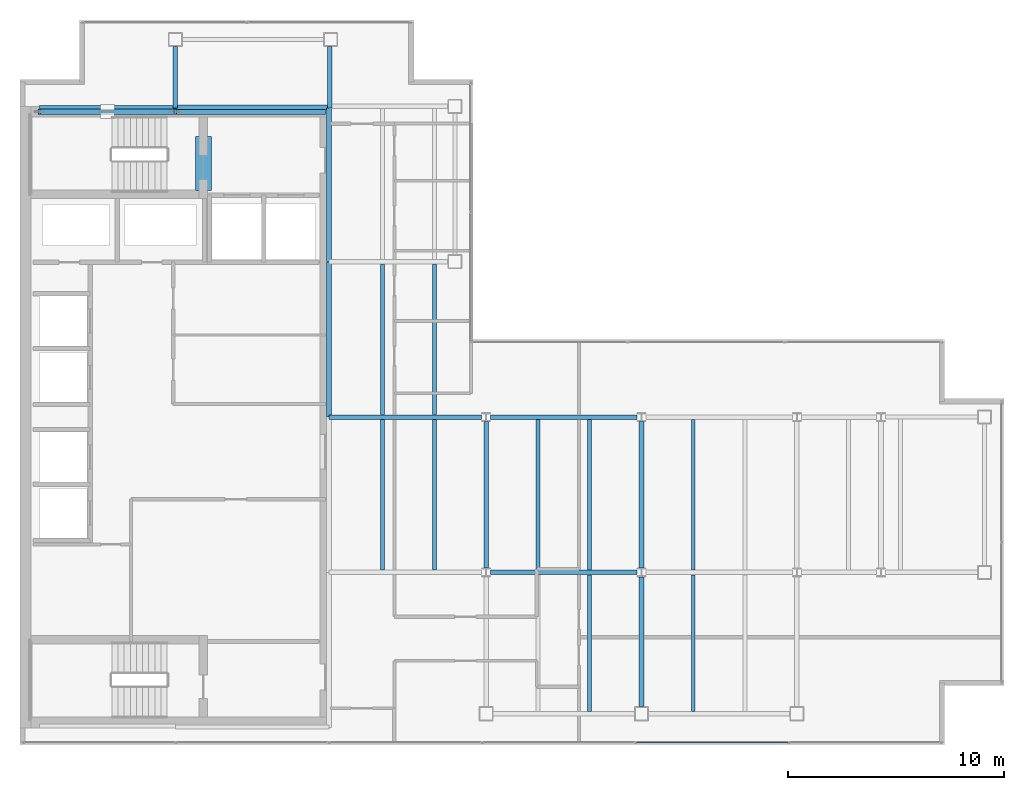
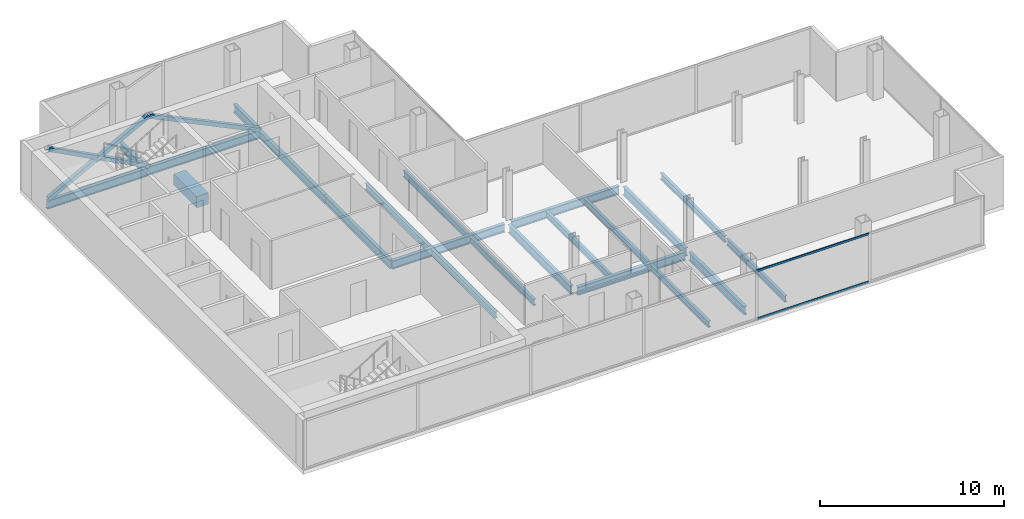
# One storey, part 7 of 24: 22 beams, 6 members, 1 element without a shape of its own.
"""IFC4 building model written with IfcOpenShell, lengths in metres."""

from ifc_helpers import new_model, si_unit, direction, frame, origin, origin_2d, place, context, subcontext, project, spatial, rectangle, hollow_rectangle, i_section, extrude, material, material_profile, profile_set, type_object, element, aggregate, save


model = new_model("IFC4")

# Units and contexts
model_context = context("Model", 3, precision=1e-05, world=origin(), true_north=direction((0.0, 1.0)))
body_context = subcontext(model_context, "Body", "Model", "MODEL_VIEW")
ifc_project = project(units=[si_unit("LENGTHUNIT", "METRE"), si_unit("AREAUNIT", "SQUARE_METRE"), si_unit("VOLUMEUNIT", "CUBIC_METRE"), si_unit("PLANEANGLEUNIT", "RADIAN"), si_unit("MASSUNIT", "GRAM", prefix="KILO")], contexts=[model_context])

# Site, building, storey
site_placement = place(None, origin())
site = spatial("IfcSite", under=ifc_project, at=site_placement, CompositionType="ELEMENT")
building_placement = place(site_placement, origin())
building = spatial("IfcBuilding", under=site, at=building_placement, Name="Cobrela Telecom Tower", CompositionType="ELEMENT")
storey_placement = place(building_placement, frame((0.0, 0.0, 248.14990234375)))
storey = spatial("IfcBuildingStorey", under=building, at=storey_placement, Name="L64", CompositionType="ELEMENT", Elevation=248.14990234375)

# Beams
ifc_material_1 = material(Name="Concrete C40/50", Category="concrete")
ifc_material_profile_1 = material_profile(ifc_material_1, rectangle(XDim=0.75, YDim=0.75, at=origin_2d()), Name="RC 750x750")
ifc_profile_set_1 = profile_set([ifc_material_profile_1], Name="Concrete C40/50")
beam_type_1 = type_object("IfcBeamType", Name="BM-COUP-RC", PredefinedType="LINTEL", material=ifc_profile_set_1)
beam_1_placement = place(storey_placement, frame((8.5, 32.10009765625, -0.60986328125), z_axis=(0.0, 1.0, 0.0), x_axis=(-1.0, 0.0, 0.0)))
element("IfcBeam", 1, at=beam_1_placement, inside=storey, type_object=beam_type_1, Name="L64 Core Coupling Lintel Beam", PredefinedType="LINTEL", context=body_context, shape_type="SweptSolid", body=[
    extrude(rectangle(XDim=0.75, YDim=0.75, at=origin_2d()), origin(), (0.0, 0.0, 1.0), 2.5),
])
ifc_material_2 = material(Name="Steel ASTM A992 Grade 50", Category="steel")
ifc_material_profile_2 = material_profile(ifc_material_2, i_section(OverallWidth=0.212890625, OverallDepth=0.549072265625, WebThickness=0.0146484375, FlangeThickness=0.023681640625, FilletRadius=0.013916015625, at=origin_2d()), Name="W21X93")
ifc_profile_set_2 = profile_set([ifc_material_profile_2], Name="Steel ASTM A992 Grade 50")
beam_type_2 = type_object("IfcBeamType", Name="BM-GIRD-08", PredefinedType="USERDEFINED", material=ifc_profile_set_2)
beam_2_placement = place(storey_placement, frame((21.804443359375, 14.39990234375, -0.534423828125), z_axis=(1.0, 0.0, 0.0), x_axis=(0.0, 1.0, 0.0)))
element("IfcBeam", 2, at=beam_2_placement, inside=storey, type_object=beam_type_2, Name="L64 Primary Girder X06", ObjectType="GIRDER", PredefinedType="USERDEFINED", context=body_context, shape_type="SweptSolid", body=[
    extrude(i_section(OverallWidth=0.212890625, OverallDepth=0.549072265625, WebThickness=0.0146484375, FlangeThickness=0.023681640625, FilletRadius=0.013916015625, at=origin_2d()), origin(), (0.0, 0.0, 1.0), 6.791015625),
])
beam_3_placement = place(storey_placement, frame((14.324951171875, 21.60009765625, -0.534423828125), z_axis=(1.0, 0.0, 0.0), x_axis=(0.0, 1.0, 0.0)))
element("IfcBeam", 3, at=beam_3_placement, inside=storey, type_object=beam_type_2, Name="L64 Primary Girder X10", ObjectType="GIRDER", PredefinedType="USERDEFINED", context=body_context, shape_type="SweptSolid", body=[
    extrude(i_section(OverallWidth=0.212890625, OverallDepth=0.549072265625, WebThickness=0.0146484375, FlangeThickness=0.023681640625, FilletRadius=0.013916015625, at=origin_2d()), origin(), (0.0, 0.0, 1.0), 7.070556640625),
])
beam_4_placement = place(storey_placement, frame((21.804443359375, 21.60009765625, -0.534423828125), z_axis=(1.0, 0.0, 0.0), x_axis=(0.0, 1.0, 0.0)))
element("IfcBeam", 4, at=beam_4_placement, inside=storey, type_object=beam_type_2, Name="L64 Primary Girder X11", ObjectType="GIRDER", PredefinedType="USERDEFINED", context=body_context, shape_type="SweptSolid", body=[
    extrude(i_section(OverallWidth=0.212890625, OverallDepth=0.549072265625, WebThickness=0.0146484375, FlangeThickness=0.023681640625, FilletRadius=0.013916015625, at=origin_2d()), origin(), (0.0, 0.0, 1.0), 6.791015625),
])
beam_5_placement = place(storey_placement, frame((0.905029296875, 35.919921875, -0.534423828125), z_axis=(1.0, 0.0, 0.0), x_axis=(0.0, 1.0, 0.0)))
element("IfcBeam", 5, at=beam_5_placement, inside=storey, type_object=beam_type_2, Name="L64 Primary Girder X16", ObjectType="GIRDER", PredefinedType="USERDEFINED", context=body_context, shape_type="SweptSolid", body=[
    extrude(i_section(OverallWidth=0.212890625, OverallDepth=0.549072265625, WebThickness=0.0146484375, FlangeThickness=0.023681640625, FilletRadius=0.013916015625, at=origin_2d()), origin(), (0.0, 0.0, 1.0), 6.2900390625),
])
beam_6_placement = place(storey_placement, frame((7.205078125, 35.9599609375, -0.534423828125), z_axis=(1.0, 0.0, 0.0), x_axis=(0.0, 1.0, 0.0)))
element("IfcBeam", 6, at=beam_6_placement, inside=storey, type_object=beam_type_2, Name="L64 Primary Girder X17", ObjectType="GIRDER", PredefinedType="USERDEFINED", context=body_context, shape_type="SweptSolid", body=[
    extrude(i_section(OverallWidth=0.212890625, OverallDepth=0.549072265625, WebThickness=0.0146484375, FlangeThickness=0.023681640625, FilletRadius=0.013916015625, at=origin_2d()), origin(), (0.0, 0.0, 1.0), 7.10986328125),
])
beam_7_placement = place(storey_placement, frame((7.199951171875, 35.925048828125, -0.534423828125), z_axis=(0.0, 1.0, 0.0), x_axis=(-1.0, 0.0, 0.0)))
element("IfcBeam", 7, at=beam_7_placement, inside=storey, type_object=beam_type_2, Name="L64 Primary Girder Y20", ObjectType="GIRDER", PredefinedType="USERDEFINED", context=body_context, shape_type="SweptSolid", body=[
    extrude(i_section(OverallWidth=0.212890625, OverallDepth=0.549072265625, WebThickness=0.0146484375, FlangeThickness=0.023681640625, FilletRadius=0.013916015625, at=origin_2d()), origin(), (0.0, 0.0, 1.0), 2.844970703125),
])
beam_8_placement = place(storey_placement, frame((14.320068359375, 21.60498046875, -0.534423828125), z_axis=(0.0, 1.0, 0.0), x_axis=(-1.0, 0.0, 0.0)))
element("IfcBeam", 8, at=beam_8_placement, inside=storey, type_object=beam_type_2, Name="L64 Primary Girder Y23", ObjectType="GIRDER", PredefinedType="USERDEFINED", context=body_context, shape_type="SweptSolid", body=[
    extrude(i_section(OverallWidth=0.212890625, OverallDepth=0.549072265625, WebThickness=0.0146484375, FlangeThickness=0.023681640625, FilletRadius=0.013916015625, at=origin_2d()), origin(), (0.0, 0.0, 1.0), 7.18994140625),
])
beam_9_placement = place(storey_placement, frame((14.320068359375, 28.804931640625, -0.534423828125), z_axis=(0.0, 1.0, 0.0), x_axis=(-1.0, 0.0, 0.0)))
element("IfcBeam", 9, at=beam_9_placement, inside=storey, type_object=beam_type_2, Name="L64 Primary Girder Y24", ObjectType="GIRDER", PredefinedType="USERDEFINED", context=body_context, shape_type="SweptSolid", body=[
    extrude(i_section(OverallWidth=0.212890625, OverallDepth=0.549072265625, WebThickness=0.0146484375, FlangeThickness=0.023681640625, FilletRadius=0.013916015625, at=origin_2d()), origin(), (0.0, 0.0, 1.0), 7.110107421875),
])
beam_10_placement = place(storey_placement, frame((14.360107421875, 35.925048828125, -0.534423828125), z_axis=(0.0, 1.0, 0.0), x_axis=(-1.0, 0.0, 0.0)))
element("IfcBeam", 10, at=beam_10_placement, inside=storey, type_object=beam_type_2, Name="L64 Primary Girder Y25", ObjectType="GIRDER", PredefinedType="USERDEFINED", context=body_context, shape_type="SweptSolid", body=[
    extrude(i_section(OverallWidth=0.212890625, OverallDepth=0.549072265625, WebThickness=0.0146484375, FlangeThickness=0.023681640625, FilletRadius=0.013916015625, at=origin_2d()), origin(), (0.0, 0.0, 1.0), 2.844970703125),
])
beam_11_placement = place(storey_placement, frame((21.60009765625, 14.6044921875, -0.534423828125), z_axis=(0.0, 1.0, 0.0), x_axis=(-1.0, 0.0, 0.0)))
element("IfcBeam", 11, at=beam_11_placement, inside=storey, type_object=beam_type_2, Name="L64 Primary Girder Y28", ObjectType="GIRDER", PredefinedType="USERDEFINED", context=body_context, shape_type="SweptSolid", body=[
    extrude(i_section(OverallWidth=0.212890625, OverallDepth=0.549072265625, WebThickness=0.0146484375, FlangeThickness=0.023681640625, FilletRadius=0.013916015625, at=origin_2d()), origin(), (0.0, 0.0, 1.0), 6.791015625),
])
beam_12_placement = place(storey_placement, frame((28.800048828125, 8.179931640625, -0.534423828125), z_axis=(0.0, 1.0, 0.0), x_axis=(-1.0, 0.0, 0.0)))
element("IfcBeam", 12, at=beam_12_placement, inside=storey, type_object=beam_type_2, Name="L64 Primary Girder Y29", ObjectType="GIRDER", PredefinedType="USERDEFINED", context=body_context, shape_type="SweptSolid", body=[
    extrude(i_section(OverallWidth=0.212890625, OverallDepth=0.549072265625, WebThickness=0.0146484375, FlangeThickness=0.023681640625, FilletRadius=0.013916015625, at=origin_2d()), origin(), (0.0, 0.0, 1.0), 6.015625),
])
beam_13_placement = place(storey_placement, frame((28.800048828125, 14.6044921875, -0.534423828125), z_axis=(0.0, 1.0, 0.0), x_axis=(-1.0, 0.0, 0.0)))
element("IfcBeam", 13, at=beam_13_placement, inside=storey, type_object=beam_type_2, Name="L64 Primary Girder Y30", ObjectType="GIRDER", PredefinedType="USERDEFINED", context=body_context, shape_type="SweptSolid", body=[
    extrude(i_section(OverallWidth=0.212890625, OverallDepth=0.549072265625, WebThickness=0.0146484375, FlangeThickness=0.023681640625, FilletRadius=0.013916015625, at=origin_2d()), origin(), (0.0, 0.0, 1.0), 6.791015625),
])
ifc_material_profile_3 = material_profile(ifc_material_2, i_section(OverallWidth=0.179931640625, OverallDepth=0.4169921875, WebThickness=0.010986328125, FlangeThickness=0.01806640625, FilletRadius=0.011962890625, at=origin_2d()), Name="W16X57")
ifc_profile_set_3 = profile_set([ifc_material_profile_3], Name="Steel ASTM A992 Grade 50")
beam_type_3 = type_object("IfcBeamType", Name="BM-JOIST-04", PredefinedType="JOIST", material=ifc_profile_set_3)
for number, where, z_axis, x_axis, name in (
    (14, (16.800048828125, 14.511474609375, -0.468505859375), (0.0, 1.0, 0.0), (-1.0, 0.0, 0.0), "L64 Secondary Composite Floor Beam J01"),
    (15, (16.800048828125, 21.71142578125, -0.468505859375), (0.0, 1.0, 0.0), (-1.0, 0.0, 0.0), "L64 Secondary Composite Floor Beam J02"),
    (16, (19.199951171875, 14.511474609375, -0.468505859375), (0.0, 1.0, 0.0), (-1.0, 0.0, 0.0), "L64 Secondary Composite Floor Beam J04"),
    (17, (19.199951171875, 21.71142578125, -0.468505859375), (0.0, 1.0, 0.0), (-1.0, 0.0, 0.0), "L64 Secondary Composite Floor Beam J05"),
    (18, (24.0, 14.511474609375, -0.468505859375), (0.0, 1.0, 0.0), (-1.0, 0.0, 0.0), "L64 Secondary Composite Floor Beam J08"),
):
    element("IfcBeam", number, at=place(storey_placement, frame(where, z_axis=z_axis, x_axis=x_axis)), inside=storey, type_object=beam_type_3, Name=name, PredefinedType="JOIST", context=body_context, shape_type="SweptSolid", body=[
        extrude(i_section(OverallWidth=0.179931640625, OverallDepth=0.4169921875, WebThickness=0.010986328125, FlangeThickness=0.01806640625, FilletRadius=0.011962890625, at=origin_2d()), origin(), (0.0, 0.0, 1.0), 6.97705078125),
    ])
beam_14_placement = place(storey_placement, frame((26.39990234375, 7.96142578125, -0.468505859375), z_axis=(0.0, 1.0, 0.0), x_axis=(-1.0, 0.0, 0.0)))
element("IfcBeam", 19, at=beam_14_placement, inside=storey, type_object=beam_type_3, Name="L64 Secondary Composite Floor Beam J09", PredefinedType="JOIST", context=body_context, shape_type="SweptSolid", body=[
    extrude(i_section(OverallWidth=0.179931640625, OverallDepth=0.4169921875, WebThickness=0.010986328125, FlangeThickness=0.01806640625, FilletRadius=0.011962890625, at=origin_2d()), origin(), (0.0, 0.0, 1.0), 6.3271484375),
])
beam_15_placement = place(storey_placement, frame((26.39990234375, 14.511474609375, -0.468505859375), z_axis=(0.0, 1.0, 0.0), x_axis=(-1.0, 0.0, 0.0)))
element("IfcBeam", 20, at=beam_15_placement, inside=storey, type_object=beam_type_3, Name="L64 Secondary Composite Floor Beam J10", PredefinedType="JOIST", context=body_context, shape_type="SweptSolid", body=[
    extrude(i_section(OverallWidth=0.179931640625, OverallDepth=0.4169921875, WebThickness=0.010986328125, FlangeThickness=0.01806640625, FilletRadius=0.011962890625, at=origin_2d()), origin(), (0.0, 0.0, 1.0), 6.97705078125),
])
beam_16_placement = place(storey_placement, frame((31.199951171875, 7.96142578125, -0.468505859375), z_axis=(0.0, 1.0, 0.0), x_axis=(-1.0, 0.0, 0.0)))
element("IfcBeam", 21, at=beam_16_placement, inside=storey, type_object=beam_type_3, Name="L64 Secondary Composite Floor Beam J11", PredefinedType="JOIST", context=body_context, shape_type="SweptSolid", body=[
    extrude(i_section(OverallWidth=0.179931640625, OverallDepth=0.4169921875, WebThickness=0.010986328125, FlangeThickness=0.01806640625, FilletRadius=0.011962890625, at=origin_2d()), origin(), (0.0, 0.0, 1.0), 6.3271484375),
])
beam_17_placement = place(storey_placement, frame((31.199951171875, 14.511474609375, -0.468505859375), z_axis=(0.0, 1.0, 0.0), x_axis=(-1.0, 0.0, 0.0)))
element("IfcBeam", 22, at=beam_17_placement, inside=storey, type_object=beam_type_3, Name="L64 Secondary Composite Floor Beam J12", PredefinedType="JOIST", context=body_context, shape_type="SweptSolid", body=[
    extrude(i_section(OverallWidth=0.179931640625, OverallDepth=0.4169921875, WebThickness=0.010986328125, FlangeThickness=0.01806640625, FilletRadius=0.011962890625, at=origin_2d()), origin(), (0.0, 0.0, 1.0), 6.97705078125),
])

# Curtain wall, members
ifc_material_3 = material(Name="Anodized Bronze Aluminium 6063-T6", Category="aluminium")
curtain_wall_type = type_object("IfcCurtainWallType", Name="CW-SYS-OFF-HI", PredefinedType="USERDEFINED", material=ifc_material_3)
curtain_wall_placement = place(storey_placement, origin())
curtain_wall = element("IfcCurtainWall", 23, at=curtain_wall_placement, inside=storey, type_object=curtain_wall_type, Name="L64 Unitised Bronze Curtain Wall 15", ObjectType="UNITISED CURTAIN WALL", PredefinedType="USERDEFINED")
ifc_material_profile_4 = material_profile(ifc_material_3, hollow_rectangle(XDim=0.06494140625, YDim=0.1298828125, WallThickness=0.00390625, at=origin_2d()), Name="ALU 65x130x4")
ifc_profile_set_4 = profile_set([ifc_material_profile_4], Name="Anodized Bronze Aluminium 6063-T6")
member_type_1 = type_object("IfcMemberType", Name="CW-SYS-OFF-HI-TRN", PredefinedType="USERDEFINED", material=ifc_profile_set_4)
member_1_placement = place(storey_placement, frame((35.59326171875, 6.52001953125, 0.03271484375), z_axis=(-1.0, 0.0, 0.0), x_axis=(0.0, -1.0, 0.0)))
member_1 = element("IfcMember", 24, at=member_1_placement, type_object=member_type_1, Name="CW-OFF-HI transom 2.1", ObjectType="TRANSOM", PredefinedType="USERDEFINED", context=body_context, shape_type="SweptSolid", body=[
    extrude(hollow_rectangle(XDim=0.06494140625, YDim=0.1298828125, WallThickness=0.00390625, at=origin_2d()), origin(), (0.0, 0.0, 1.0), 7.031494140625),
])
member_2_placement = place(storey_placement, frame((35.59326171875, 6.52001953125, 3.20751953125), z_axis=(-1.0, 0.0, 0.0), x_axis=(0.0, -1.0, 0.0)))
member_2 = element("IfcMember", 25, at=member_2_placement, type_object=member_type_1, Name="CW-OFF-HI transom 2.2", ObjectType="TRANSOM", PredefinedType="USERDEFINED", context=body_context, shape_type="SweptSolid", body=[
    extrude(hollow_rectangle(XDim=0.06494140625, YDim=0.1298828125, WallThickness=0.00390625, at=origin_2d()), origin(), (0.0, 0.0, 1.0), 7.031494140625),
])
aggregate(curtain_wall, [member_1, member_2])

# Members
ifc_material_4 = material(Name="Steel ASTM A572 Grade 50", Category="steel")
ifc_material_profile_5 = material_profile(ifc_material_4, hollow_rectangle(XDim=0.25, YDim=0.25, WallThickness=0.013916015625, at=origin_2d()), Name="HSS 250x250x14")
ifc_profile_set_5 = profile_set([ifc_material_profile_5], Name="Steel ASTM A572 Grade 50")
member_type_2 = type_object("IfcMemberType", Name="MBR-EXO-04", PredefinedType="BRACE", material=ifc_profile_set_5)
member_3_placement = place(storey_placement, frame((0.89990234375, 35.75, -0.039794921875), z_axis=(0.884686085315, 0.0, 0.466187226821), x_axis=(0.0, 1.0, 0.0)))
element("IfcMember", 26, at=member_3_placement, inside=storey, type_object=member_type_2, Name="L64 Core Flange Steel X-Brace Continuous A", PredefinedType="BRACE", context=body_context, shape_type="SweptSolid", body=[
    extrude(hollow_rectangle(XDim=0.25, YDim=0.25, WallThickness=0.013916015625, at=origin_2d()), origin(), (0.0, 0.0, 1.0), 7.121337890625),
])
member_4_placement = place(storey_placement, frame((7.199951171875, 35.75, -0.039794921875), z_axis=(-0.884702916743, 0.0, 0.466155284328), x_axis=(0.0, -1.0, 0.0)))
element("IfcMember", 27, at=member_4_placement, inside=storey, type_object=member_type_2, Name="L64 Core Flange Steel X-Brace Split B1", PredefinedType="BRACE", context=body_context, shape_type="SweptSolid", body=[
    extrude(hollow_rectangle(XDim=0.25, YDim=0.25, WallThickness=0.013916015625, at=origin_2d()), origin(), (0.0, 0.0, 1.0), 3.42041015625),
])
member_5_placement = place(storey_placement, frame((3.926025390625, 35.75, 1.685302734375), z_axis=(-0.884673479945, 0.0, 0.466211147317), x_axis=(0.0, -1.0, 0.0)))
element("IfcMember", 28, at=member_5_placement, inside=storey, type_object=member_type_2, Name="L64 Core Flange Steel X-Brace Split B2", PredefinedType="BRACE", context=body_context, shape_type="SweptSolid", body=[
    extrude(hollow_rectangle(XDim=0.25, YDim=0.25, WallThickness=0.013916015625, at=origin_2d()), origin(), (0.0, 0.0, 1.0), 3.420654296875),
])
member_6_placement = place(storey_placement, frame((14.10009765625, 35.75, -0.039794921875), z_axis=(-0.901127639633, 0.0, 0.433553891793), x_axis=(0.0, -1.0, 0.0)))
element("IfcMember", 29, at=member_6_placement, inside=storey, type_object=member_type_2, Name="L64 Core Flange Steel Brace N2", PredefinedType="BRACE", context=body_context, shape_type="SweptSolid", body=[
    extrude(hollow_rectangle(XDim=0.25, YDim=0.25, WallThickness=0.013916015625, at=origin_2d()), origin(), (0.0, 0.0, 1.0), 7.6572265625),
])

save(model, "model.ifc")
